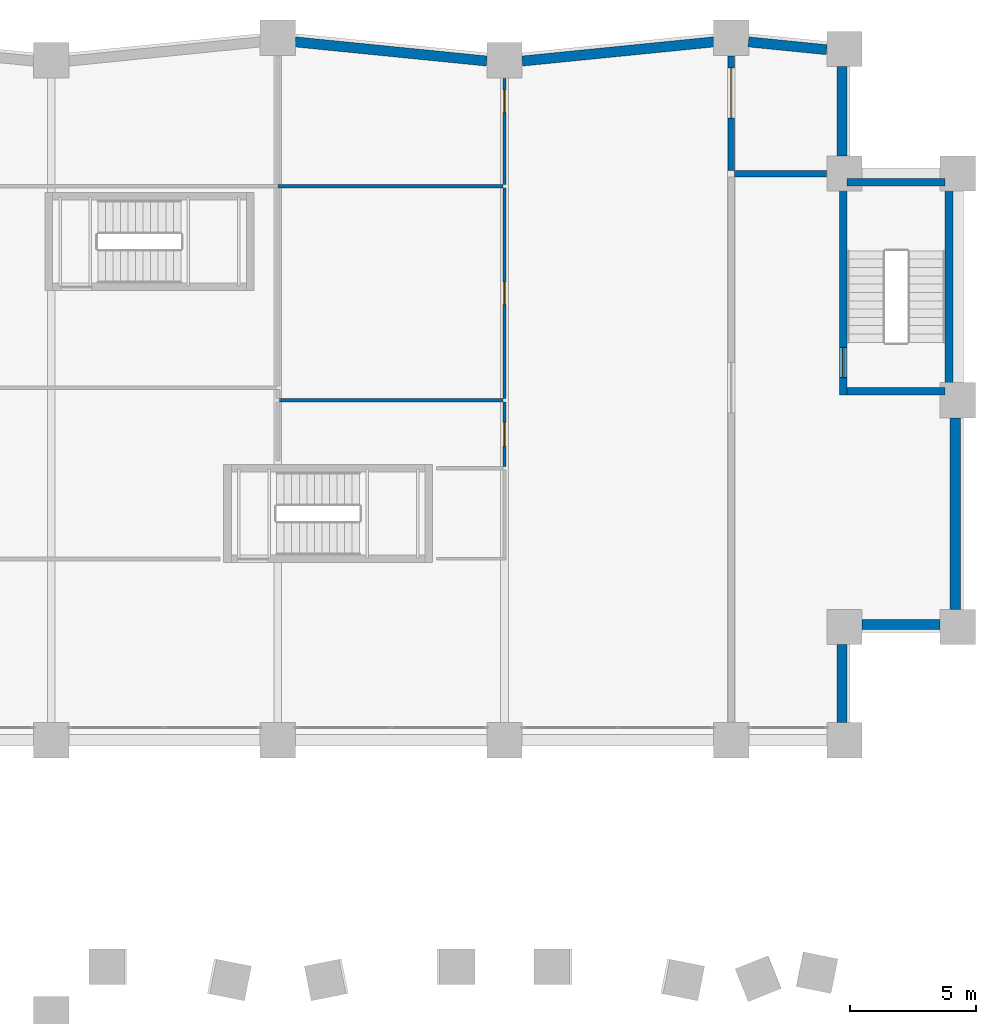
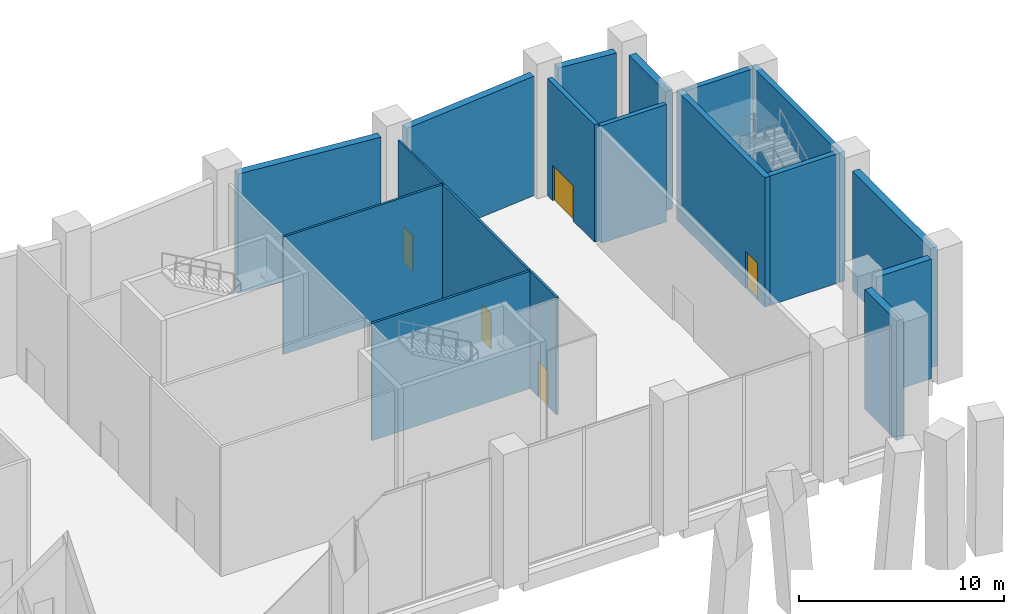
# One storey, part 13 of 19: 18 walls, 5 doors, 5 openings.
"""IFC4 building model written with IfcOpenShell, lengths in metres."""

from ifc_helpers import new_model, si_unit, direction, frame, frame_2d, origin, place, context, subcontext, project, spatial, rectangle, extrude, material, layer, layer_set, type_object, element, fill, save


model = new_model("IFC4")

# Units and contexts
model_context = context("Model", 3, precision=1e-05, world=origin(), true_north=direction((0.0, 1.0)))
body_context = subcontext(model_context, "Body", "Model", "MODEL_VIEW")
ifc_project = project(units=[si_unit("LENGTHUNIT", "METRE"), si_unit("AREAUNIT", "SQUARE_METRE"), si_unit("VOLUMEUNIT", "CUBIC_METRE"), si_unit("PLANEANGLEUNIT", "RADIAN"), si_unit("MASSUNIT", "GRAM", prefix="KILO")], contexts=[model_context])

# Site, building, storey
site_placement = place(None, origin())
site = spatial("IfcSite", under=ifc_project, at=site_placement, CompositionType="ELEMENT")
building_placement = place(site_placement, origin())
building = spatial("IfcBuilding", under=site, at=building_placement, Name="Brondeck Convention Tower", CompositionType="ELEMENT")
storey_placement = place(building_placement, frame((0.0, 0.0, 19.5)))
storey = spatial("IfcBuildingStorey", under=building, at=storey_placement, Name="L03", CompositionType="ELEMENT", Elevation=19.5)

# Walls
ifc_material_1 = material(Name="Limestone", Category="masonry")
ifc_layer_1 = layer(ifc_material_1, 0.10009765625, Name="Limestone facing")
ifc_material_2 = material(Name="Mineral wool")
ifc_layer_2 = layer(ifc_material_2, 0.159912109375, Name="Insulation")
ifc_material_3 = material(Name="Concrete C35/45", Category="concrete")
ifc_layer_3 = layer(ifc_material_3, 0.139892578125, Name="Backing")
ifc_layer_set_1 = layer_set([ifc_layer_1, ifc_layer_2, ifc_layer_3], Name="External wall, limestone cladding")
wall_type_1 = type_object("IfcWallType", Name="External wall, limestone cladding", PredefinedType="SOLIDWALL", material=ifc_layer_set_1)
for number, where, z_axis, x_axis, name in (
    (1, (67.39990234375, 39.800048828125, 0.0), (0.0, 0.0, 1.0), (0.0, -1.0, 0.0), "ENV-EW-L03-BASE-NC-SEA-01"),
    (2, (71.300048828125, 40.60009765625, 0.0), (0.0, 0.0, 1.0), (-1.0, 0.0, 0.0), "ENV-EW-L03-BASE-NC-SEA-02"),
):
    element("IfcWall", number, at=place(storey_placement, frame(where, z_axis=z_axis, x_axis=x_axis)), inside=storey, type_object=wall_type_1, Name=name, PredefinedType="SOLIDWALL", context=body_context, shape_type="SweptSolid", body=[
        extrude(rectangle(XDim=3.10009765625, YDim=0.39990234375, at=frame_2d((1.550048828125, 0.0))), origin(), (0.0, 0.0, 1.0), 7.10009765625),
    ])
wall_1_placement = place(storey_placement, frame((71.89990234375, 48.800048828125, 0.0), z_axis=(0.0, 0.0, 1.0), x_axis=(0.0, -1.0, 0.0)))
element("IfcWall", 3, at=wall_1_placement, inside=storey, type_object=wall_type_1, Name="ENV-EW-L03-BASE-A-E-02", PredefinedType="SOLIDWALL", context=body_context, shape_type="SweptSolid", body=[
    extrude(rectangle(XDim=7.60009765625, YDim=0.39990234375, at=frame_2d((3.800048828125, 0.0))), origin(), (0.0, 0.0, 1.0), 7.10009765625),
])
wall_2_placement = place(storey_placement, frame((67.39990234375, 62.75, 0.0), z_axis=(0.0, 0.0, 1.0), x_axis=(0.0, -1.0, 0.0)))
element("IfcWall", 4, at=wall_2_placement, inside=storey, type_object=wall_type_1, Name="ENV-EW-L03-BASE-NC-NEA-02", PredefinedType="SOLIDWALL", context=body_context, shape_type="SweptSolid", body=[
    extrude(rectangle(XDim=3.550048828125, YDim=0.39990234375, at=frame_2d((1.77490234375, 0.0))), origin(), (0.0, 0.0, 1.0), 7.10009765625),
])
wall_3_placement = place(storey_placement, frame((63.6865234375, 63.730712890625, 0.0), z_axis=(0.0, 0.0, 1.0), x_axis=(0.995041834057, -0.099457269599, 0.0)))
element("IfcWall", 5, at=wall_3_placement, inside=storey, type_object=wall_type_1, Name="ENV-EW-L03-BASE-A-N-14", PredefinedType="SOLIDWALL", context=body_context, shape_type="SweptSolid", body=[
    extrude(rectangle(XDim=3.122314453125, YDim=0.39990234375, at=frame_2d((1.56103515625, 0.0))), origin(), (0.0, 0.0, 1.0), 7.10009765625),
])
for number, where, z_axis, x_axis, name in (
    (6, (54.70654296875, 62.97021484375, 0.0), (0.0, 0.0, 1.0), (0.995039719416, 0.099478423711, 0.0), "ENV-EW-L03-BASE-A-N-13"),
    (7, (45.6865234375, 63.730712890625, 0.0), (0.0, 0.0, 1.0), (0.995039719416, -0.099478423711, 0.0), "ENV-EW-L03-BASE-A-N-11"),
):
    element("IfcWall", number, at=place(storey_placement, frame(where, z_axis=z_axis, x_axis=x_axis)), inside=storey, type_object=wall_type_1, Name=name, PredefinedType="SOLIDWALL", context=body_context, shape_type="SweptSolid", body=[
        extrude(rectangle(XDim=7.644775390625, YDim=0.39990234375, at=frame_2d((3.822265625, 0.0))), origin(), (0.0, 0.0, 1.0), 7.10009765625),
    ])
ifc_material_4 = material(Name="Reinforced masonry fire wall", Category="masonry")
ifc_layer_4 = layer(ifc_material_4, 0.25)
ifc_layer_set_2 = layer_set([ifc_layer_4], Name="Fire wall 250")
wall_type_2 = type_object("IfcWallType", Name="Fire wall 250", PredefinedType="PARTITIONING", material=ifc_layer_set_2)
wall_4_placement = place(storey_placement, frame((63.125, 58.5, 0.0), z_axis=(0.0, 0.0, 1.0), x_axis=(1.0, 0.0, 0.0)))
element("IfcWall", 8, at=wall_4_placement, inside=storey, type_object=wall_type_2, Name="FLR-L03-W027", PredefinedType="PARTITIONING", context=body_context, shape_type="SweptSolid", body=[
    extrude(rectangle(XDim=3.655029296875, YDim=0.25, at=frame_2d((1.82763671875, 0.0))), origin(), (0.0, 0.0, 1.0), 6.97998046875),
])

# Wall, opening, door
wall_5_placement = place(storey_placement, frame((63.0, 63.179931640625, 0.0), z_axis=(0.0, 0.0, 1.0), x_axis=(0.0, -1.0, 0.0)))
wall_5 = element("IfcWall", 9, at=wall_5_placement, inside=storey, type_object=wall_type_2, Name="FLR-L03-W030", PredefinedType="PARTITIONING", context=body_context, shape_type="SweptSolid", body=[
    extrude(rectangle(XDim=4.554931640625, YDim=0.25, at=frame_2d((2.27734375, 0.0))), origin(), (0.0, 0.0, 1.0), 6.97998046875),
])
opening_1_placement = place(wall_5_placement, frame((0.47998046875, 0.0, 0.0)))
opening_1 = element("IfcOpeningElement", 10, at=opening_1_placement, cuts=wall_5, Name="Opening P-L03-008", PredefinedType="OPENING", context=body_context, shape_type="SweptSolid", body=[
    extrude(rectangle(XDim=2.0, YDim=2.10009765625, at=frame_2d((1.0, 1.050048828125))), frame((0.0, 0.135009765625, 0.0), z_axis=(0.0, -1.0, 0.0), x_axis=(1.0, 0.0, 0.0)), (0.0, 0.0, 1.0), 0.27001953125),
])
ifc_material_5 = material(Name="Timber fire door pair", Category="wood")
door_type_1 = type_object("IfcDoorType", Name="Assembly hall door pair 2000", OperationType="DOUBLE_DOOR_SINGLE_SWING", PredefinedType="DOOR", material=ifc_material_5)
door_1_placement = place(opening_1_placement, origin())
door_1 = element("IfcDoor", 11, at=door_1_placement, inside=storey, type_object=door_type_1, Name="Door P-L03-008", OperationType="DOUBLE_DOOR_SINGLE_SWING", OverallHeight=2.10009765625, OverallWidth=2.0, PredefinedType="DOOR", context=body_context, shape_type="SweptSolid", body=[
    extrude(rectangle(XDim=2.0, YDim=2.10009765625, at=frame_2d((1.0, 1.050048828125))), frame((0.0, 0.02490234375, 0.0), z_axis=(0.0, -1.0, 0.0), x_axis=(1.0, 0.0, 0.0)), (0.0, 0.0, 1.0), 0.050048828125),
])
fill(opening_1, door_1)

ifc_material_6 = material(Name="Gypsum board shaft wall on steel studs", Category="steel")
ifc_layer_5 = layer(ifc_material_6, 0.125)
ifc_layer_set_3 = layer_set([ifc_layer_5], Name="Riser wall 125")
wall_type_3 = type_object("IfcWallType", Name="Riser wall 125", PredefinedType="PARTITIONING", material=ifc_layer_set_3)
wall_6_placement = place(storey_placement, frame((54.0, 46.862548828125, 0.0), z_axis=(0.0, 0.0, 1.0), x_axis=(0.0, 1.0, 0.0)))
wall_6 = element("IfcWall", 12, at=wall_6_placement, inside=storey, type_object=wall_type_3, Name="FLR-L03-W014", PredefinedType="PARTITIONING", context=body_context, shape_type="SweptSolid", body=[
    extrude(rectangle(XDim=2.574951171875, YDim=0.125, at=frame_2d((1.28759765625, 0.0))), origin(), (0.0, 0.0, 1.0), 6.97998046875),
])
opening_2_placement = place(wall_6_placement, frame((0.8125, 0.0, 0.0)))
opening_2 = element("IfcOpeningElement", 13, at=opening_2_placement, cuts=wall_6, Name="Opening P-L03-004", PredefinedType="OPENING", context=body_context, shape_type="SweptSolid", body=[
    extrude(rectangle(XDim=0.949951171875, YDim=2.10009765625, at=frame_2d((0.47509765625, 1.050048828125))), frame((0.0, 0.072509765625, 0.0), z_axis=(0.0, -1.0, 0.0), x_axis=(1.0, 0.0, 0.0)), (0.0, 0.0, 1.0), 0.14501953125),
])
ifc_material_7 = material(Name="Solid timber door leaf", Category="wood")
door_type_2 = type_object("IfcDoorType", Name="Accessible door 950", OperationType="NOTDEFINED", PredefinedType="DOOR", material=ifc_material_7)
door_2_placement = place(opening_2_placement, origin())
door_2 = element("IfcDoor", 14, at=door_2_placement, inside=storey, type_object=door_type_2, Name="Door P-L03-004", OperationType="SINGLE_SWING_RIGHT", OverallHeight=2.10009765625, OverallWidth=0.949951171875, PredefinedType="DOOR", context=body_context, shape_type="SweptSolid", body=[
    extrude(rectangle(XDim=0.949951171875, YDim=2.10009765625, at=frame_2d((0.47509765625, 1.050048828125))), frame((0.0, 0.02490234375, 0.0), z_axis=(0.0, -1.0, 0.0), x_axis=(1.0, 0.0, 0.0)), (0.0, 0.0, 1.0), 0.050048828125),
])
fill(opening_2, door_2)

# Wall
wall_7_placement = place(storey_placement, frame((45.074951171875, 49.5, 0.0), z_axis=(0.0, 0.0, 1.0), x_axis=(1.0, 0.0, 0.0)))
element("IfcWall", 15, at=wall_7_placement, inside=storey, type_object=wall_type_3, Name="FLR-L03-W016", PredefinedType="PARTITIONING", context=body_context, shape_type="SweptSolid", body=[
    extrude(rectangle(XDim=8.862548828125, YDim=0.125, at=frame_2d((4.43115234375, 0.0))), origin(), (0.0, 0.0, 1.0), 6.97998046875),
])

# Wall, opening, door
wall_8_placement = place(storey_placement, frame((54.0, 49.5625, 0.0), z_axis=(0.0, 0.0, 1.0), x_axis=(0.0, 1.0, 0.0)))
wall_8 = element("IfcWall", 16, at=wall_8_placement, inside=storey, type_object=wall_type_3, Name="FLR-L03-W017", PredefinedType="PARTITIONING", context=body_context, shape_type="SweptSolid", body=[
    extrude(rectangle(XDim=8.375, YDim=0.125, at=frame_2d((4.1875, 0.0))), origin(), (0.0, 0.0, 1.0), 6.97998046875),
])
opening_3_placement = place(wall_8_placement, frame((3.737548828125, 0.0, 0.0)))
opening_3 = element("IfcOpeningElement", 17, at=opening_3_placement, cuts=wall_8, Name="Opening P-L03-005", PredefinedType="OPENING", context=body_context, shape_type="SweptSolid", body=[
    extrude(rectangle(XDim=0.89990234375, YDim=2.10009765625, at=frame_2d((0.449951171875, 1.050048828125))), frame((0.0, 0.072509765625, 0.0), z_axis=(0.0, -1.0, 0.0), x_axis=(1.0, 0.0, 0.0)), (0.0, 0.0, 1.0), 0.14501953125),
])
door_type_3 = type_object("IfcDoorType", Name="Single door 900", OperationType="NOTDEFINED", PredefinedType="DOOR", material=ifc_material_7)
door_3_placement = place(opening_3_placement, origin())
door_3 = element("IfcDoor", 18, at=door_3_placement, inside=storey, type_object=door_type_3, Name="Door P-L03-005", OperationType="SINGLE_SWING_RIGHT", OverallHeight=2.10009765625, OverallWidth=0.89990234375, PredefinedType="DOOR", context=body_context, shape_type="SweptSolid", body=[
    extrude(rectangle(XDim=0.89990234375, YDim=2.10009765625, at=frame_2d((0.449951171875, 1.050048828125))), frame((0.0, 0.02490234375, 0.0), z_axis=(0.0, -1.0, 0.0), x_axis=(1.0, 0.0, 0.0)), (0.0, 0.0, 1.0), 0.050048828125),
])
fill(opening_3, door_3)

# Wall
wall_9_placement = place(storey_placement, frame((45.0, 58.0, 0.0), z_axis=(0.0, 0.0, 1.0), x_axis=(1.0, 0.0, 0.0)))
element("IfcWall", 19, at=wall_9_placement, inside=storey, type_object=wall_type_3, Name="FLR-L03-W024", PredefinedType="PARTITIONING", context=body_context, shape_type="SweptSolid", body=[
    extrude(rectangle(XDim=8.9375, YDim=0.125, at=frame_2d((4.46875, 0.0))), origin(), (0.0, 0.0, 1.0), 6.97998046875),
])

# Wall, opening, door
ifc_material_8 = material(Name="Gypsum board partition on steel studs", Category="steel")
ifc_layer_6 = layer(ifc_material_8, 0.10009765625)
ifc_layer_set_4 = layer_set([ifc_layer_6], Name="Room partition 100")
wall_type_4 = type_object("IfcWallType", Name="Room partition 100", PredefinedType="PARTITIONING", material=ifc_layer_set_4)
wall_10_placement = place(storey_placement, frame((54.0, 58.0625, 0.0), z_axis=(0.0, 0.0, 1.0), x_axis=(0.0, 1.0, 0.0)))
wall_10 = element("IfcWall", 20, at=wall_10_placement, inside=storey, type_object=wall_type_4, Name="FLR-L03-W025", PredefinedType="PARTITIONING", context=body_context, shape_type="SweptSolid", body=[
    extrude(rectangle(XDim=4.217529296875, YDim=0.10009765625, at=frame_2d((2.10888671875, 0.0))), origin(), (0.0, 0.0, 1.0), 6.97998046875),
])
opening_4_placement = place(wall_10_placement, frame((2.862548828125, 0.0, 0.0)))
opening_4 = element("IfcOpeningElement", 21, at=opening_4_placement, cuts=wall_10, Name="Opening P-L03-006", PredefinedType="OPENING", context=body_context, shape_type="SweptSolid", body=[
    extrude(rectangle(XDim=0.89990234375, YDim=2.10009765625, at=frame_2d((0.449951171875, 1.050048828125))), frame((0.0, 0.06005859375, 0.0), z_axis=(0.0, -1.0, 0.0), x_axis=(1.0, 0.0, 0.0)), (0.0, 0.0, 1.0), 0.1201171875),
])
door_4_placement = place(opening_4_placement, origin())
door_4 = element("IfcDoor", 22, at=door_4_placement, inside=storey, type_object=door_type_3, Name="Door P-L03-006", OperationType="SINGLE_SWING_RIGHT", OverallHeight=2.10009765625, OverallWidth=0.89990234375, PredefinedType="DOOR", context=body_context, shape_type="SweptSolid", body=[
    extrude(rectangle(XDim=0.89990234375, YDim=2.10009765625, at=frame_2d((0.449951171875, 1.050048828125))), frame((0.0, 0.02490234375, 0.0), z_axis=(0.0, -1.0, 0.0), x_axis=(1.0, 0.0, 0.0)), (0.0, 0.0, 1.0), 0.050048828125),
])
fill(opening_4, door_4)

# Walls
ifc_material_9 = material(Name="Concrete C80/95", Category="concrete")
ifc_layer_7 = layer(ifc_material_9, 0.300048828125)
ifc_layer_set_5 = layer_set([ifc_layer_7], Name="Stair enclosure wall 300 Concrete C80/95")
wall_type_5 = type_object("IfcWallType", Name="Stair enclosure wall 300 Concrete C80/95", PredefinedType="SHEAR", material=ifc_layer_set_5)
for number, where, z_axis, x_axis, name in (
    (23, (67.60009765625, 49.85009765625, 0.0), (0.0, 0.0, 1.0), (1.0, 0.0, 0.0), "L03 core wall"),
    (24, (67.60009765625, 58.14990234375, 0.0), (0.0, 0.0, 1.0), (1.0, 0.0, 0.0), "L03 core wall"),
):
    element("IfcWall", number, at=place(storey_placement, frame(where, z_axis=z_axis, x_axis=x_axis)), inside=storey, type_object=wall_type_5, Name=name, PredefinedType="SHEAR", context=body_context, shape_type="SweptSolid", body=[
        extrude(rectangle(XDim=3.89990234375, YDim=0.300048828125, at=frame_2d((1.949951171875, 0.0))), origin(), (0.0, 0.0, 1.0), 7.699951171875),
    ])

# Wall, opening, door
wall_11_placement = place(storey_placement, frame((67.449951171875, 49.699951171875, 0.0), z_axis=(0.0, 0.0, 1.0), x_axis=(0.0, 1.0, 0.0)))
wall_11 = element("IfcWall", 25, at=wall_11_placement, inside=storey, type_object=wall_type_5, Name="L03 core wall", PredefinedType="SHEAR", context=body_context, shape_type="SweptSolid", body=[
    extrude(rectangle(XDim=8.60009765625, YDim=0.300048828125, at=frame_2d((4.300048828125, 0.0))), origin(), (0.0, 0.0, 1.0), 7.699951171875),
])
opening_5_placement = place(wall_11_placement, frame((0.699951171875, 0.0, 0.0)))
opening_5 = element("IfcOpeningElement", 26, at=opening_5_placement, cuts=wall_11, Name="Opening C05-12", PredefinedType="OPENING", context=body_context, shape_type="SweptSolid", body=[
    extrude(rectangle(XDim=1.199951171875, YDim=2.199951171875, at=frame_2d((0.60009765625, 1.10009765625))), frame((0.0, 0.159912109375, 0.0), z_axis=(0.0, -1.0, 0.0), x_axis=(1.0, 0.0, 0.0)), (0.0, 0.0, 1.0), 0.320068359375),
])
ifc_material_10 = material(Name="Steel fire door", Category="steel")
door_type_4 = type_object("IfcDoorType", Name="Stair door 1200x2200 EI 90", OperationType="NOTDEFINED", PredefinedType="DOOR", material=ifc_material_10)
door_5_placement = place(opening_5_placement, origin())
door_5 = element("IfcDoor", 27, at=door_5_placement, inside=storey, type_object=door_type_4, Name="L03 Stair door PS-1", OperationType="SINGLE_SWING_RIGHT", OverallHeight=2.199951171875, OverallWidth=1.199951171875, PredefinedType="DOOR", context=body_context, shape_type="SweptSolid", body=[
    extrude(rectangle(XDim=1.199951171875, YDim=2.199951171875, at=frame_2d((0.60009765625, 1.10009765625))), frame((0.0, 0.02490234375, 0.0), z_axis=(0.0, -1.0, 0.0), x_axis=(1.0, 0.0, 0.0)), (0.0, 0.0, 1.0), 0.050048828125),
])
fill(opening_5, door_5)

# Wall
wall_12_placement = place(storey_placement, frame((71.64990234375, 49.699951171875, 0.0), z_axis=(0.0, 0.0, 1.0), x_axis=(0.0, 1.0, 0.0)))
element("IfcWall", 28, at=wall_12_placement, inside=storey, type_object=wall_type_5, Name="L03 core wall", PredefinedType="SHEAR", context=body_context, shape_type="SweptSolid", body=[
    extrude(rectangle(XDim=8.60009765625, YDim=0.300048828125, at=frame_2d((4.300048828125, 0.0))), origin(), (0.0, 0.0, 1.0), 7.699951171875),
])

save(model, "model.ifc")
